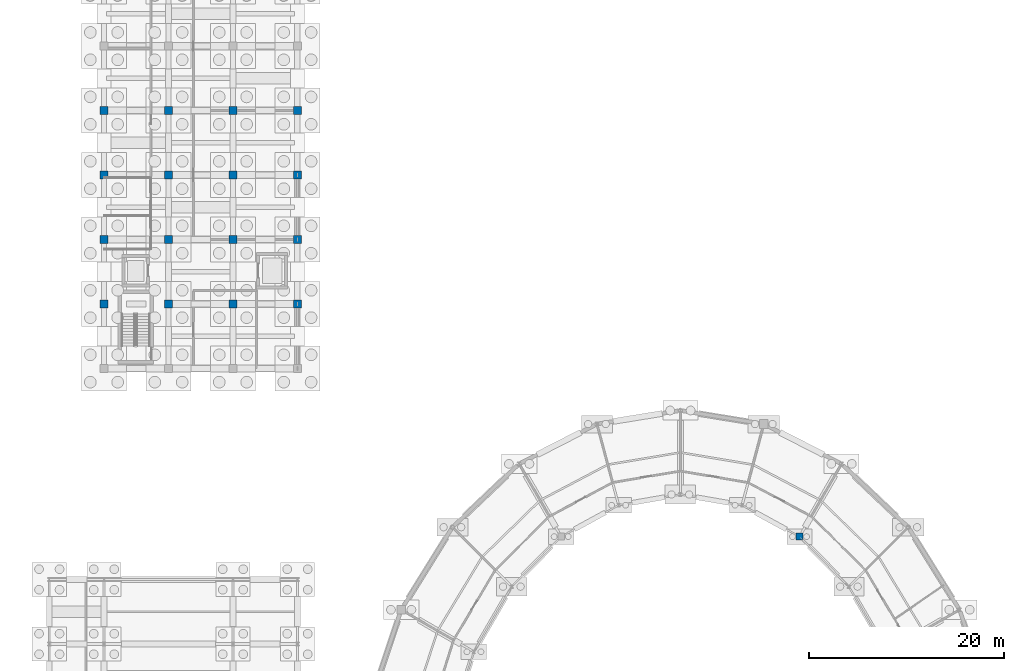
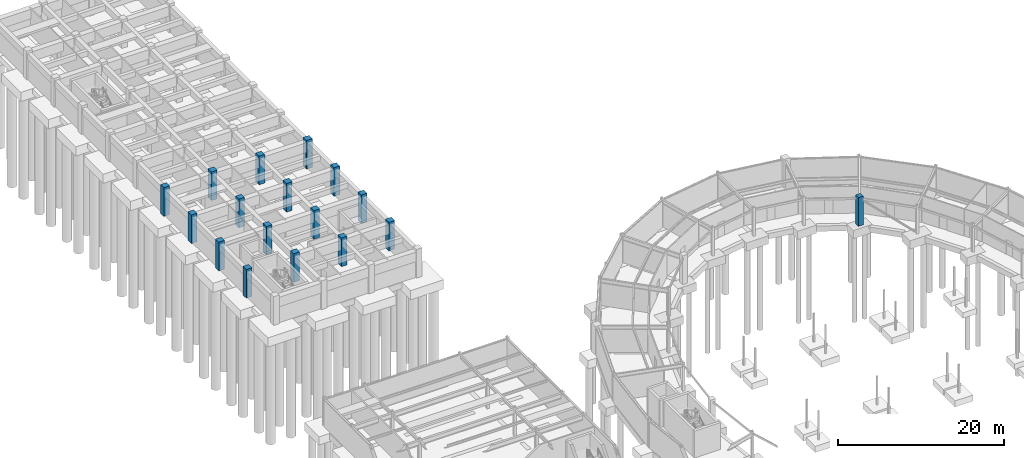
# One storey, part 20 of 58: 17 columns.
"""IFC4 building model written with IfcOpenShell, lengths in metres."""

from ifc_helpers import new_model, si_unit, direction, frame, origin, origin_2d, place, context, subcontext, project, spatial, rectangle, extrude, material, material_profile, profile_set, type_object, element, save


model = new_model("IFC4")

# Units and contexts
model_context = context("Model", 3, precision=1e-05, world=origin(), true_north=direction((0.0, 1.0)))
body_context = subcontext(model_context, "Body", "Model", "MODEL_VIEW")
ifc_project = project(units=[si_unit("LENGTHUNIT", "METRE"), si_unit("AREAUNIT", "SQUARE_METRE"), si_unit("VOLUMEUNIT", "CUBIC_METRE"), si_unit("PLANEANGLEUNIT", "RADIAN"), si_unit("MASSUNIT", "GRAM", prefix="KILO")], contexts=[model_context])

# Site, building, storey
site_placement = place(None, origin())
site = spatial("IfcSite", under=ifc_project, at=site_placement, CompositionType="ELEMENT")
building_placement = place(site_placement, origin())
building = spatial("IfcBuilding", under=site, at=building_placement, Name="Karori Crest Natural Sciences Institute", CompositionType="ELEMENT")
storey_placement = place(building_placement, frame((0.0, 0.0, -4.199951171875)))
storey = spatial("IfcBuildingStorey", under=building, at=storey_placement, Name="B1", CompositionType="ELEMENT", Elevation=-4.199951171875)

# Columns
ifc_material = material(Name="Concrete 50 MPa", Category="concrete")
ifc_material_profile_1 = material_profile(ifc_material, rectangle(XDim=0.800048828125, YDim=0.800048828125, at=origin_2d()), Name="RC800x800")
ifc_profile_set_1 = profile_set([ifc_material_profile_1], Name="Concrete 50 MPa")
column_type_1 = type_object("IfcColumnType", Name="CT-17", PredefinedType="COLUMN", material=ifc_profile_set_1)
for number, where, z_axis, x_axis, name in (
    (1, (7.39990234375, 101.60009765625, 0.0), (0.0, 0.0, 1.0), (1.0, 0.0, 0.0), "Column C-0717"),
    (2, (7.39990234375, 108.199951171875, 0.0), (0.0, 0.0, 1.0), (1.0, 0.0, 0.0), "Column C-0725"),
    (3, (7.39990234375, 114.800048828125, 0.0), (0.0, 0.0, 1.0), (1.0, 0.0, 0.0), "Column C-0733"),
    (4, (7.39990234375, 121.39990234375, 0.0), (0.0, 0.0, 1.0), (1.0, 0.0, 0.0), "Column C-0741"),
    (5, (14.0, 101.60009765625, 0.0), (0.0, 0.0, 1.0), (1.0, 0.0, 0.0), "Column C-0794"),
    (6, (14.0, 108.199951171875, 0.0), (0.0, 0.0, 1.0), (1.0, 0.0, 0.0), "Column C-0802"),
    (7, (14.0, 114.800048828125, 0.0), (0.0, 0.0, 1.0), (1.0, 0.0, 0.0), "Column C-0810"),
    (8, (14.0, 121.39990234375, 0.0), (0.0, 0.0, 1.0), (1.0, 0.0, 0.0), "Column C-0818"),
    (9, (20.60009765625, 101.60009765625, 0.0), (0.0, 0.0, 1.0), (1.0, 0.0, 0.0), "Column C-0871"),
    (10, (20.60009765625, 108.199951171875, 0.0), (0.0, 0.0, 1.0), (1.0, 0.0, 0.0), "Column C-0879"),
    (11, (20.60009765625, 114.800048828125, 0.0), (0.0, 0.0, 1.0), (1.0, 0.0, 0.0), "Column C-0887"),
    (12, (20.60009765625, 121.39990234375, 0.0), (0.0, 0.0, 1.0), (1.0, 0.0, 0.0), "Column C-0895"),
    (13, (27.199951171875, 101.60009765625, 0.0), (0.0, 0.0, 1.0), (1.0, 0.0, 0.0), "Column C-0948"),
    (14, (27.199951171875, 108.199951171875, 0.0), (0.0, 0.0, 1.0), (1.0, 0.0, 0.0), "Column C-0956"),
    (15, (27.199951171875, 114.800048828125, 0.0), (0.0, 0.0, 1.0), (1.0, 0.0, 0.0), "Column C-0964"),
    (16, (27.199951171875, 121.39990234375, 0.0), (0.0, 0.0, 1.0), (1.0, 0.0, 0.0), "Column C-0972"),
):
    element("IfcColumn", number, at=place(storey_placement, frame(where, z_axis=z_axis, x_axis=x_axis)), inside=storey, type_object=column_type_1, Name=name, PredefinedType="COLUMN", context=body_context, shape_type="SweptSolid", body=[
        extrude(rectangle(XDim=0.800048828125, YDim=0.800048828125, at=origin_2d()), origin(), (0.0, 0.0, 1.0), 4.199951171875),
    ])
ifc_material_profile_2 = material_profile(ifc_material, rectangle(XDim=0.699951171875, YDim=0.699951171875, at=origin_2d()), Name="RC700x700")
ifc_profile_set_2 = profile_set([ifc_material_profile_2], Name="Concrete 50 MPa")
column_type_2 = type_object("IfcColumnType", Name="CT-29", PredefinedType="COLUMN", material=ifc_profile_set_2)
column_placement = place(storey_placement, frame((78.60009765625, 77.785888671875, 0.0), z_axis=(0.0, 0.0, 1.0), x_axis=(1.0, 0.0, 0.0)))
element("IfcColumn", 17, at=column_placement, inside=storey, type_object=column_type_2, Name="Column C-0074", PredefinedType="COLUMN", context=body_context, shape_type="SweptSolid", body=[
    extrude(rectangle(XDim=0.699951171875, YDim=0.699951171875, at=origin_2d()), origin(), (0.0, 0.0, 1.0), 4.199951171875),
])

save(model, "model.ifc")
